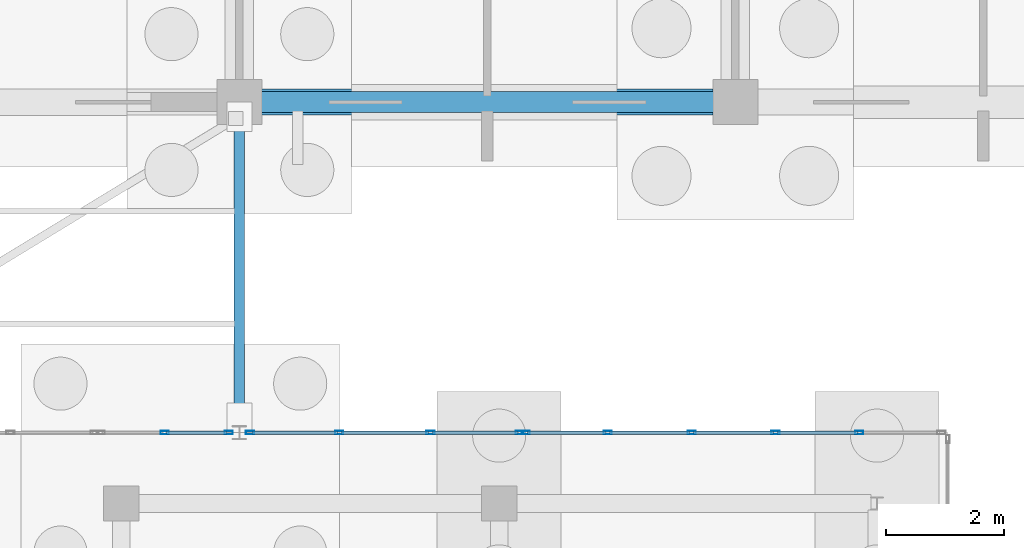
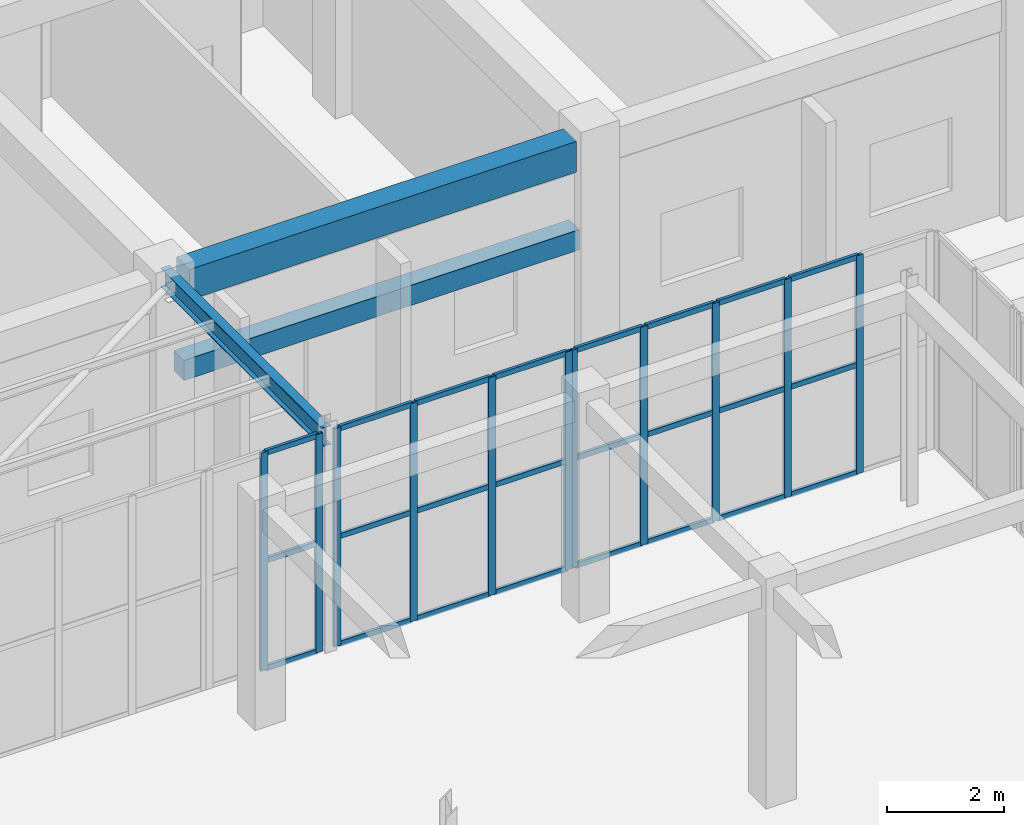
# One storey, part 119 of 192: 35 members, 3 beams, 3 elements without a shape of their own.
"""IFC4 building model written with IfcOpenShell, lengths in metres."""

from ifc_helpers import new_model, si_unit, direction, frame, origin, origin_2d, place, context, subcontext, project, spatial, rectangle, hollow_rectangle, i_section, extrude, material, layer, layer_set, material_profile, profile_set, type_object, element, aggregate, save


model = new_model("IFC4")

# Units and contexts
model_context = context("Model", 3, precision=1e-05, world=origin(), true_north=direction((0.0, 1.0)))
body_context = subcontext(model_context, "Body", "Model", "MODEL_VIEW")
ifc_project = project(units=[si_unit("LENGTHUNIT", "METRE"), si_unit("AREAUNIT", "SQUARE_METRE"), si_unit("VOLUMEUNIT", "CUBIC_METRE"), si_unit("PLANEANGLEUNIT", "RADIAN"), si_unit("MASSUNIT", "GRAM", prefix="KILO")], contexts=[model_context])

# Site, building, storey
site_placement = place(None, origin())
site = spatial("IfcSite", under=ifc_project, at=site_placement, CompositionType="ELEMENT")
building_placement = place(site_placement, origin())
building = spatial("IfcBuilding", under=site, at=building_placement, Name="Trelvath General Hospital", CompositionType="ELEMENT")
storey_placement = place(building_placement, origin())
storey = spatial("IfcBuildingStorey", under=building, at=storey_placement, Name="L00", CompositionType="ELEMENT", Elevation=0.0)

# Beams
ifc_material_1 = material(Name="Concrete C35/45", Category="concrete")
ifc_material_profile_1 = material_profile(ifc_material_1, rectangle(XDim=0.43994140625, YDim=0.639892578125, at=origin_2d()), Name="RCB440x640")
ifc_profile_set_1 = profile_set([ifc_material_profile_1], Name="Concrete C35/45")
beam_type_1 = type_object("IfcBeamType", Name="Beam RC440x640", PredefinedType="BEAM", material=ifc_profile_set_1)
beam_1_placement = place(storey_placement, frame((109.574951171875, 92.39990234375, 4.199951171875), z_axis=(1.0, 0.0, 0.0), x_axis=(0.0, 1.0, 0.0)))
element("IfcBeam", 1, at=beam_1_placement, inside=storey, type_object=beam_type_1, Name="Grid Beam BX-013L", PredefinedType="BEAM", context=body_context, shape_type="SweptSolid", body=[
    extrude(rectangle(XDim=0.43994140625, YDim=0.639892578125, at=origin_2d()), origin(), (0.0, 0.0, 1.0), 7.650146484375),
])
ifc_material_2 = material(Name="Steel S355", Category="steel")
ifc_material_profile_2 = material_profile(ifc_material_2, i_section(OverallWidth=0.179931640625, OverallDepth=0.39990234375, WebThickness=0.008544921875, FlangeThickness=0.013427734375, at=origin_2d()), Name="IPE400")
ifc_profile_set_2 = profile_set([ifc_material_profile_2], Name="Steel S355")
beam_type_2 = type_object("IfcBeamType", Name="BridgeGirder IPE400", PredefinedType="BEAM", material=ifc_profile_set_2)
beam_2_placement = place(storey_placement, frame((109.199951171875, 86.840087890625, 4.409912109375), z_axis=(0.0, 1.0, 0.0), x_axis=(-1.0, 0.0, 0.0)))
element("IfcBeam", 2, at=beam_2_placement, inside=storey, type_object=beam_type_2, Name="Bridge Girder BRG-N-E E L01", PredefinedType="BEAM", context=body_context, shape_type="SweptSolid", body=[
    extrude(i_section(OverallWidth=0.179931640625, OverallDepth=0.39990234375, WebThickness=0.008544921875, FlangeThickness=0.013427734375, at=origin_2d()), origin(), (0.0, 0.0, 1.0), 5.52001953125),
])

# Curtain wall, members
ifc_material_3 = material(Name="Anodised aluminium and low-E glass", Category="aluminium")
ifc_layer_1 = layer(ifc_material_3, 0.139892578125)
ifc_layer_set_1 = layer_set([ifc_layer_1], Name="Anodised aluminium and low-E glass")
curtain_wall_type_1 = type_object("IfcCurtainWallType", Name="CW CrystalCube 223 456 14", PredefinedType="USERDEFINED", material=ifc_layer_set_1)
curtain_wall_1_placement = place(storey_placement, origin())
curtain_wall_1 = element("IfcCurtainWall", 3, at=curtain_wall_1_placement, inside=storey, type_object=curtain_wall_type_1, Name="Crystal Cube Curtain Wall CUBE-E-T0 N3 L00", ObjectType="Unitised Glazed Curtain Wall", PredefinedType="USERDEFINED")
ifc_material_4 = material(Name="Anodised aluminium", Category="aluminium")
ifc_material_profile_3 = material_profile(ifc_material_4, hollow_rectangle(XDim=0.06005859375, YDim=0.139892578125, WallThickness=0.00390625, at=origin_2d()), Name="RHS60x140x4")
ifc_profile_set_3 = profile_set([ifc_material_profile_3], Name="Anodised aluminium")
member_type_1 = type_object("IfcMemberType", Name="CurtainMullion 60x140", PredefinedType="MULLION", material=ifc_profile_set_3)
member_1_placement = place(storey_placement, frame((107.93505859375, 86.800048828125, 0.0), z_axis=(0.0, 0.0, 1.0), x_axis=(0.0, 1.0, 0.0)))
member_1 = element("IfcMember", 4, at=member_1_placement, type_object=member_type_1, Name="CW-113 mullion 2", PredefinedType="MULLION", context=body_context, shape_type="SweptSolid", body=[
    extrude(hollow_rectangle(XDim=0.06005859375, YDim=0.139892578125, WallThickness=0.00390625, at=origin_2d()), origin(), (0.0, 0.0, 1.0), 4.56005859375),
])
member_2_placement = place(storey_placement, frame((109.02001953125, 86.800048828125, 0.0), z_axis=(0.0, 0.0, 1.0), x_axis=(0.0, 1.0, 0.0)))
member_2 = element("IfcMember", 5, at=member_2_placement, type_object=member_type_1, Name="CW-113 mullion 3", PredefinedType="MULLION", context=body_context, shape_type="SweptSolid", body=[
    extrude(hollow_rectangle(XDim=0.06005859375, YDim=0.139892578125, WallThickness=0.00390625, at=origin_2d()), origin(), (0.0, 0.0, 1.0), 4.56005859375),
])

ifc_material_5 = material(Name="Anodised aluminium and low-E glass", Category="aluminium")
ifc_layer_2 = layer(ifc_material_5, 0.139892578125)
ifc_layer_set_2 = layer_set([ifc_layer_2], Name="Anodised aluminium and low-E glass")
curtain_wall_type_2 = type_object("IfcCurtainWallType", Name="CW CrystalCube 463 456 14", PredefinedType="USERDEFINED", material=ifc_layer_set_2)
curtain_wall_2_placement = place(storey_placement, origin())
curtain_wall_2 = element("IfcCurtainWall", 6, at=curtain_wall_2_placement, inside=storey, type_object=curtain_wall_type_2, Name="Crystal Cube Curtain Wall CUBE-E-T0 N4 L00", ObjectType="Unitised Glazed Curtain Wall", PredefinedType="USERDEFINED")
member_3_placement = place(storey_placement, frame((109.3798828125, 86.800048828125, 0.0), z_axis=(0.0, 0.0, 1.0), x_axis=(0.0, 1.0, 0.0)))
member_3 = element("IfcMember", 7, at=member_3_placement, type_object=member_type_1, Name="CW-114 mullion 1", PredefinedType="MULLION", context=body_context, shape_type="SweptSolid", body=[
    extrude(hollow_rectangle(XDim=0.06005859375, YDim=0.139892578125, WallThickness=0.00390625, at=origin_2d()), origin(), (0.0, 0.0, 1.0), 4.56005859375),
])
member_4_placement = place(storey_placement, frame((110.893310546875, 86.800048828125, 0.0), z_axis=(0.0, 0.0, 1.0), x_axis=(0.0, 1.0, 0.0)))
member_4 = element("IfcMember", 8, at=member_4_placement, type_object=member_type_1, Name="CW-114 mullion 2", PredefinedType="MULLION", context=body_context, shape_type="SweptSolid", body=[
    extrude(hollow_rectangle(XDim=0.06005859375, YDim=0.139892578125, WallThickness=0.00390625, at=origin_2d()), origin(), (0.0, 0.0, 1.0), 4.56005859375),
])
member_5_placement = place(storey_placement, frame((112.436767578125, 86.800048828125, 0.0), z_axis=(0.0, 0.0, 1.0), x_axis=(0.0, 1.0, 0.0)))
member_5 = element("IfcMember", 9, at=member_5_placement, type_object=member_type_1, Name="CW-114 mullion 3", PredefinedType="MULLION", context=body_context, shape_type="SweptSolid", body=[
    extrude(hollow_rectangle(XDim=0.06005859375, YDim=0.139892578125, WallThickness=0.00390625, at=origin_2d()), origin(), (0.0, 0.0, 1.0), 4.56005859375),
])
member_6_placement = place(storey_placement, frame((113.949951171875, 86.800048828125, 0.0), z_axis=(0.0, 0.0, 1.0), x_axis=(0.0, 1.0, 0.0)))
member_6 = element("IfcMember", 10, at=member_6_placement, type_object=member_type_1, Name="CW-114 mullion 4", PredefinedType="MULLION", context=body_context, shape_type="SweptSolid", body=[
    extrude(hollow_rectangle(XDim=0.06005859375, YDim=0.139892578125, WallThickness=0.00390625, at=origin_2d()), origin(), (0.0, 0.0, 1.0), 4.56005859375),
])

ifc_material_6 = material(Name="Anodised aluminium and low-E glass", Category="aluminium")
ifc_layer_3 = layer(ifc_material_6, 0.139892578125)
ifc_layer_set_3 = layer_set([ifc_layer_3], Name="Anodised aluminium and low-E glass")
curtain_wall_type_3 = type_object("IfcCurtainWallType", Name="CW CrystalCube 710 456 14", PredefinedType="USERDEFINED", material=ifc_layer_set_3)
curtain_wall_3_placement = place(storey_placement, origin())
curtain_wall_3 = element("IfcCurtainWall", 11, at=curtain_wall_3_placement, inside=storey, type_object=curtain_wall_type_3, Name="Crystal Cube Curtain Wall CUBE-E-T0 N5 L00", ObjectType="Unitised Glazed Curtain Wall", PredefinedType="USERDEFINED")
member_7_placement = place(storey_placement, frame((114.050048828125, 86.800048828125, 0.0), z_axis=(0.0, 0.0, 1.0), x_axis=(0.0, 1.0, 0.0)))
member_7 = element("IfcMember", 12, at=member_7_placement, type_object=member_type_1, Name="CW-115 mullion 1", PredefinedType="MULLION", context=body_context, shape_type="SweptSolid", body=[
    extrude(hollow_rectangle(XDim=0.06005859375, YDim=0.139892578125, WallThickness=0.00390625, at=origin_2d()), origin(), (0.0, 0.0, 1.0), 4.56005859375),
])
member_8_placement = place(storey_placement, frame((115.43994140625, 86.800048828125, 0.0), z_axis=(0.0, 0.0, 1.0), x_axis=(0.0, 1.0, 0.0)))
member_8 = element("IfcMember", 13, at=member_8_placement, type_object=member_type_1, Name="CW-115 mullion 2", PredefinedType="MULLION", context=body_context, shape_type="SweptSolid", body=[
    extrude(hollow_rectangle(XDim=0.06005859375, YDim=0.139892578125, WallThickness=0.00390625, at=origin_2d()), origin(), (0.0, 0.0, 1.0), 4.56005859375),
])
member_9_placement = place(storey_placement, frame((116.860107421875, 86.800048828125, 0.0), z_axis=(0.0, 0.0, 1.0), x_axis=(0.0, 1.0, 0.0)))
member_9 = element("IfcMember", 14, at=member_9_placement, type_object=member_type_1, Name="CW-115 mullion 3", PredefinedType="MULLION", context=body_context, shape_type="SweptSolid", body=[
    extrude(hollow_rectangle(XDim=0.06005859375, YDim=0.139892578125, WallThickness=0.00390625, at=origin_2d()), origin(), (0.0, 0.0, 1.0), 4.56005859375),
])
member_10_placement = place(storey_placement, frame((118.280029296875, 86.800048828125, 0.0), z_axis=(0.0, 0.0, 1.0), x_axis=(0.0, 1.0, 0.0)))
member_10 = element("IfcMember", 15, at=member_10_placement, type_object=member_type_1, Name="CW-115 mullion 4", PredefinedType="MULLION", context=body_context, shape_type="SweptSolid", body=[
    extrude(hollow_rectangle(XDim=0.06005859375, YDim=0.139892578125, WallThickness=0.00390625, at=origin_2d()), origin(), (0.0, 0.0, 1.0), 4.56005859375),
])
member_11_placement = place(storey_placement, frame((119.699951171875, 86.800048828125, 0.0), z_axis=(0.0, 0.0, 1.0), x_axis=(0.0, 1.0, 0.0)))
member_11 = element("IfcMember", 16, at=member_11_placement, type_object=member_type_1, Name="CW-115 mullion 5", PredefinedType="MULLION", context=body_context, shape_type="SweptSolid", body=[
    extrude(hollow_rectangle(XDim=0.06005859375, YDim=0.139892578125, WallThickness=0.00390625, at=origin_2d()), origin(), (0.0, 0.0, 1.0), 4.56005859375),
])

# Member
ifc_material_7 = material(Name="Anodised aluminium", Category="aluminium")
ifc_material_profile_4 = material_profile(ifc_material_7, hollow_rectangle(XDim=0.06005859375, YDim=0.110107421875, WallThickness=0.00390625, at=origin_2d()), Name="RHS60x110x4")
ifc_profile_set_4 = profile_set([ifc_material_profile_4], Name="Anodised aluminium")
member_type_2 = type_object("IfcMemberType", Name="CurtainTransom 60x110", PredefinedType="USERDEFINED", material=ifc_profile_set_4)
member_12_placement = place(storey_placement, frame((107.965087890625, 86.800048828125, 0.030029296875), z_axis=(1.0, 0.0, 0.0), x_axis=(0.0, 1.0, 0.0)))
member_12 = element("IfcMember", 17, at=member_12_placement, type_object=member_type_2, Name="CW-113 transom 2.1", ObjectType="TRANSOM", PredefinedType="USERDEFINED", context=body_context, shape_type="SweptSolid", body=[
    extrude(hollow_rectangle(XDim=0.06005859375, YDim=0.110107421875, WallThickness=0.00390625, at=origin_2d()), origin(), (0.0, 0.0, 1.0), 1.02490234375),
])

member_13_placement = place(storey_placement, frame((107.965087890625, 86.800048828125, 2.280029296875), z_axis=(1.0, 0.0, 0.0), x_axis=(0.0, 1.0, 0.0)))
member_13 = element("IfcMember", 18, at=member_13_placement, type_object=member_type_2, Name="CW-113 transom 2.2", ObjectType="TRANSOM", PredefinedType="USERDEFINED", context=body_context, shape_type="SweptSolid", body=[
    extrude(hollow_rectangle(XDim=0.06005859375, YDim=0.110107421875, WallThickness=0.00390625, at=origin_2d()), origin(), (0.0, 0.0, 1.0), 1.02490234375),
])

member_14_placement = place(storey_placement, frame((107.965087890625, 86.800048828125, 4.530029296875), z_axis=(1.0, 0.0, 0.0), x_axis=(0.0, 1.0, 0.0)))
member_14 = element("IfcMember", 19, at=member_14_placement, type_object=member_type_2, Name="CW-113 transom 2.3", ObjectType="TRANSOM", PredefinedType="USERDEFINED", context=body_context, shape_type="SweptSolid", body=[
    extrude(hollow_rectangle(XDim=0.06005859375, YDim=0.110107421875, WallThickness=0.00390625, at=origin_2d()), origin(), (0.0, 0.0, 1.0), 1.02490234375),
])

aggregate(curtain_wall_1, [member_1, member_2, member_12, member_13, member_14])

member_15_placement = place(storey_placement, frame((109.409912109375, 86.800048828125, 0.030029296875), z_axis=(1.0, 0.0, 0.0), x_axis=(0.0, 1.0, 0.0)))
member_15 = element("IfcMember", 20, at=member_15_placement, type_object=member_type_2, Name="CW-114 transom 1.1", ObjectType="TRANSOM", PredefinedType="USERDEFINED", context=body_context, shape_type="SweptSolid", body=[
    extrude(hollow_rectangle(XDim=0.06005859375, YDim=0.110107421875, WallThickness=0.00390625, at=origin_2d()), origin(), (0.0, 0.0, 1.0), 1.453369140625),
])

member_16_placement = place(storey_placement, frame((109.409912109375, 86.800048828125, 2.280029296875), z_axis=(1.0, 0.0, 0.0), x_axis=(0.0, 1.0, 0.0)))
member_16 = element("IfcMember", 21, at=member_16_placement, type_object=member_type_2, Name="CW-114 transom 1.2", ObjectType="TRANSOM", PredefinedType="USERDEFINED", context=body_context, shape_type="SweptSolid", body=[
    extrude(hollow_rectangle(XDim=0.06005859375, YDim=0.110107421875, WallThickness=0.00390625, at=origin_2d()), origin(), (0.0, 0.0, 1.0), 1.453369140625),
])

member_17_placement = place(storey_placement, frame((109.409912109375, 86.800048828125, 4.530029296875), z_axis=(1.0, 0.0, 0.0), x_axis=(0.0, 1.0, 0.0)))
member_17 = element("IfcMember", 22, at=member_17_placement, type_object=member_type_2, Name="CW-114 transom 1.3", ObjectType="TRANSOM", PredefinedType="USERDEFINED", context=body_context, shape_type="SweptSolid", body=[
    extrude(hollow_rectangle(XDim=0.06005859375, YDim=0.110107421875, WallThickness=0.00390625, at=origin_2d()), origin(), (0.0, 0.0, 1.0), 1.453369140625),
])

member_18_placement = place(storey_placement, frame((110.92333984375, 86.800048828125, 0.030029296875), z_axis=(1.0, 0.0, 0.0), x_axis=(0.0, 1.0, 0.0)))
member_18 = element("IfcMember", 23, at=member_18_placement, type_object=member_type_2, Name="CW-114 transom 2.1", ObjectType="TRANSOM", PredefinedType="USERDEFINED", context=body_context, shape_type="SweptSolid", body=[
    extrude(hollow_rectangle(XDim=0.06005859375, YDim=0.110107421875, WallThickness=0.00390625, at=origin_2d()), origin(), (0.0, 0.0, 1.0), 1.4833984375),
])

member_19_placement = place(storey_placement, frame((110.92333984375, 86.800048828125, 2.280029296875), z_axis=(1.0, 0.0, 0.0), x_axis=(0.0, 1.0, 0.0)))
member_19 = element("IfcMember", 24, at=member_19_placement, type_object=member_type_2, Name="CW-114 transom 2.2", ObjectType="TRANSOM", PredefinedType="USERDEFINED", context=body_context, shape_type="SweptSolid", body=[
    extrude(hollow_rectangle(XDim=0.06005859375, YDim=0.110107421875, WallThickness=0.00390625, at=origin_2d()), origin(), (0.0, 0.0, 1.0), 1.4833984375),
])

member_20_placement = place(storey_placement, frame((110.92333984375, 86.800048828125, 4.530029296875), z_axis=(1.0, 0.0, 0.0), x_axis=(0.0, 1.0, 0.0)))
member_20 = element("IfcMember", 25, at=member_20_placement, type_object=member_type_2, Name="CW-114 transom 2.3", ObjectType="TRANSOM", PredefinedType="USERDEFINED", context=body_context, shape_type="SweptSolid", body=[
    extrude(hollow_rectangle(XDim=0.06005859375, YDim=0.110107421875, WallThickness=0.00390625, at=origin_2d()), origin(), (0.0, 0.0, 1.0), 1.4833984375),
])

member_21_placement = place(storey_placement, frame((112.466552734375, 86.800048828125, 0.030029296875), z_axis=(1.0, 0.0, 0.0), x_axis=(0.0, 1.0, 0.0)))
member_21 = element("IfcMember", 26, at=member_21_placement, type_object=member_type_2, Name="CW-114 transom 3.1", ObjectType="TRANSOM", PredefinedType="USERDEFINED", context=body_context, shape_type="SweptSolid", body=[
    extrude(hollow_rectangle(XDim=0.06005859375, YDim=0.110107421875, WallThickness=0.00390625, at=origin_2d()), origin(), (0.0, 0.0, 1.0), 1.453369140625),
])

member_22_placement = place(storey_placement, frame((112.466552734375, 86.800048828125, 2.280029296875), z_axis=(1.0, 0.0, 0.0), x_axis=(0.0, 1.0, 0.0)))
member_22 = element("IfcMember", 27, at=member_22_placement, type_object=member_type_2, Name="CW-114 transom 3.2", ObjectType="TRANSOM", PredefinedType="USERDEFINED", context=body_context, shape_type="SweptSolid", body=[
    extrude(hollow_rectangle(XDim=0.06005859375, YDim=0.110107421875, WallThickness=0.00390625, at=origin_2d()), origin(), (0.0, 0.0, 1.0), 1.453369140625),
])

member_23_placement = place(storey_placement, frame((112.466552734375, 86.800048828125, 4.530029296875), z_axis=(1.0, 0.0, 0.0), x_axis=(0.0, 1.0, 0.0)))
member_23 = element("IfcMember", 28, at=member_23_placement, type_object=member_type_2, Name="CW-114 transom 3.3", ObjectType="TRANSOM", PredefinedType="USERDEFINED", context=body_context, shape_type="SweptSolid", body=[
    extrude(hollow_rectangle(XDim=0.06005859375, YDim=0.110107421875, WallThickness=0.00390625, at=origin_2d()), origin(), (0.0, 0.0, 1.0), 1.453369140625),
])

aggregate(curtain_wall_2, [member_3, member_4, member_5, member_6, member_15, member_16, member_17, member_18, member_19, member_20, member_21, member_22, member_23])

member_24_placement = place(storey_placement, frame((114.080078125, 86.800048828125, 0.030029296875), z_axis=(1.0, 0.0, 0.0), x_axis=(0.0, 1.0, 0.0)))
member_24 = element("IfcMember", 29, at=member_24_placement, type_object=member_type_2, Name="CW-115 transom 1.1", ObjectType="TRANSOM", PredefinedType="USERDEFINED", context=body_context, shape_type="SweptSolid", body=[
    extrude(hollow_rectangle(XDim=0.06005859375, YDim=0.110107421875, WallThickness=0.00390625, at=origin_2d()), origin(), (0.0, 0.0, 1.0), 1.329833984375),
])

member_25_placement = place(storey_placement, frame((114.080078125, 86.800048828125, 2.280029296875), z_axis=(1.0, 0.0, 0.0), x_axis=(0.0, 1.0, 0.0)))
member_25 = element("IfcMember", 30, at=member_25_placement, type_object=member_type_2, Name="CW-115 transom 1.2", ObjectType="TRANSOM", PredefinedType="USERDEFINED", context=body_context, shape_type="SweptSolid", body=[
    extrude(hollow_rectangle(XDim=0.06005859375, YDim=0.110107421875, WallThickness=0.00390625, at=origin_2d()), origin(), (0.0, 0.0, 1.0), 1.329833984375),
])

member_26_placement = place(storey_placement, frame((114.080078125, 86.800048828125, 4.530029296875), z_axis=(1.0, 0.0, 0.0), x_axis=(0.0, 1.0, 0.0)))
member_26 = element("IfcMember", 31, at=member_26_placement, type_object=member_type_2, Name="CW-115 transom 1.3", ObjectType="TRANSOM", PredefinedType="USERDEFINED", context=body_context, shape_type="SweptSolid", body=[
    extrude(hollow_rectangle(XDim=0.06005859375, YDim=0.110107421875, WallThickness=0.00390625, at=origin_2d()), origin(), (0.0, 0.0, 1.0), 1.329833984375),
])

member_27_placement = place(storey_placement, frame((115.469970703125, 86.800048828125, 0.030029296875), z_axis=(1.0, 0.0, 0.0), x_axis=(0.0, 1.0, 0.0)))
member_27 = element("IfcMember", 32, at=member_27_placement, type_object=member_type_2, Name="CW-115 transom 2.1", ObjectType="TRANSOM", PredefinedType="USERDEFINED", context=body_context, shape_type="SweptSolid", body=[
    extrude(hollow_rectangle(XDim=0.06005859375, YDim=0.110107421875, WallThickness=0.00390625, at=origin_2d()), origin(), (0.0, 0.0, 1.0), 1.360107421875),
])

member_28_placement = place(storey_placement, frame((115.469970703125, 86.800048828125, 2.280029296875), z_axis=(1.0, 0.0, 0.0), x_axis=(0.0, 1.0, 0.0)))
member_28 = element("IfcMember", 33, at=member_28_placement, type_object=member_type_2, Name="CW-115 transom 2.2", ObjectType="TRANSOM", PredefinedType="USERDEFINED", context=body_context, shape_type="SweptSolid", body=[
    extrude(hollow_rectangle(XDim=0.06005859375, YDim=0.110107421875, WallThickness=0.00390625, at=origin_2d()), origin(), (0.0, 0.0, 1.0), 1.360107421875),
])

member_29_placement = place(storey_placement, frame((115.469970703125, 86.800048828125, 4.530029296875), z_axis=(1.0, 0.0, 0.0), x_axis=(0.0, 1.0, 0.0)))
member_29 = element("IfcMember", 34, at=member_29_placement, type_object=member_type_2, Name="CW-115 transom 2.3", ObjectType="TRANSOM", PredefinedType="USERDEFINED", context=body_context, shape_type="SweptSolid", body=[
    extrude(hollow_rectangle(XDim=0.06005859375, YDim=0.110107421875, WallThickness=0.00390625, at=origin_2d()), origin(), (0.0, 0.0, 1.0), 1.360107421875),
])

member_30_placement = place(storey_placement, frame((116.889892578125, 86.800048828125, 0.030029296875), z_axis=(1.0, 0.0, 0.0), x_axis=(0.0, 1.0, 0.0)))
member_30 = element("IfcMember", 35, at=member_30_placement, type_object=member_type_2, Name="CW-115 transom 3.1", ObjectType="TRANSOM", PredefinedType="USERDEFINED", context=body_context, shape_type="SweptSolid", body=[
    extrude(hollow_rectangle(XDim=0.06005859375, YDim=0.110107421875, WallThickness=0.00390625, at=origin_2d()), origin(), (0.0, 0.0, 1.0), 1.360107421875),
])

member_31_placement = place(storey_placement, frame((116.889892578125, 86.800048828125, 2.280029296875), z_axis=(1.0, 0.0, 0.0), x_axis=(0.0, 1.0, 0.0)))
member_31 = element("IfcMember", 36, at=member_31_placement, type_object=member_type_2, Name="CW-115 transom 3.2", ObjectType="TRANSOM", PredefinedType="USERDEFINED", context=body_context, shape_type="SweptSolid", body=[
    extrude(hollow_rectangle(XDim=0.06005859375, YDim=0.110107421875, WallThickness=0.00390625, at=origin_2d()), origin(), (0.0, 0.0, 1.0), 1.360107421875),
])

member_32_placement = place(storey_placement, frame((116.889892578125, 86.800048828125, 4.530029296875), z_axis=(1.0, 0.0, 0.0), x_axis=(0.0, 1.0, 0.0)))
member_32 = element("IfcMember", 37, at=member_32_placement, type_object=member_type_2, Name="CW-115 transom 3.3", ObjectType="TRANSOM", PredefinedType="USERDEFINED", context=body_context, shape_type="SweptSolid", body=[
    extrude(hollow_rectangle(XDim=0.06005859375, YDim=0.110107421875, WallThickness=0.00390625, at=origin_2d()), origin(), (0.0, 0.0, 1.0), 1.360107421875),
])

member_33_placement = place(storey_placement, frame((118.31005859375, 86.800048828125, 0.030029296875), z_axis=(1.0, 0.0, 0.0), x_axis=(0.0, 1.0, 0.0)))
member_33 = element("IfcMember", 38, at=member_33_placement, type_object=member_type_2, Name="CW-115 transom 4.1", ObjectType="TRANSOM", PredefinedType="USERDEFINED", context=body_context, shape_type="SweptSolid", body=[
    extrude(hollow_rectangle(XDim=0.06005859375, YDim=0.110107421875, WallThickness=0.00390625, at=origin_2d()), origin(), (0.0, 0.0, 1.0), 1.35986328125),
])

member_34_placement = place(storey_placement, frame((118.31005859375, 86.800048828125, 2.280029296875), z_axis=(1.0, 0.0, 0.0), x_axis=(0.0, 1.0, 0.0)))
member_34 = element("IfcMember", 39, at=member_34_placement, type_object=member_type_2, Name="CW-115 transom 4.2", ObjectType="TRANSOM", PredefinedType="USERDEFINED", context=body_context, shape_type="SweptSolid", body=[
    extrude(hollow_rectangle(XDim=0.06005859375, YDim=0.110107421875, WallThickness=0.00390625, at=origin_2d()), origin(), (0.0, 0.0, 1.0), 1.35986328125),
])

member_35_placement = place(storey_placement, frame((118.31005859375, 86.800048828125, 4.530029296875), z_axis=(1.0, 0.0, 0.0), x_axis=(0.0, 1.0, 0.0)))
member_35 = element("IfcMember", 40, at=member_35_placement, type_object=member_type_2, Name="CW-115 transom 4.3", ObjectType="TRANSOM", PredefinedType="USERDEFINED", context=body_context, shape_type="SweptSolid", body=[
    extrude(hollow_rectangle(XDim=0.06005859375, YDim=0.110107421875, WallThickness=0.00390625, at=origin_2d()), origin(), (0.0, 0.0, 1.0), 1.35986328125),
])

aggregate(curtain_wall_3, [member_7, member_8, member_9, member_10, member_11, member_24, member_25, member_26, member_27, member_28, member_29, member_30, member_31, member_32, member_33, member_34, member_35])

# Beam
ifc_material_8 = material(Name="Precast concrete C40/50", Category="concrete")
ifc_material_profile_5 = material_profile(ifc_material_8, rectangle(XDim=0.35009765625, YDim=0.419921875, at=origin_2d()), Name="PCL350x420")
ifc_profile_set_5 = profile_set([ifc_material_profile_5], Name="Precast concrete C40/50")
beam_type_3 = type_object("IfcBeamType", Name="Lintel PC350x420", PredefinedType="LINTEL", material=ifc_profile_set_5)
beam_3_placement = place(storey_placement, frame((117.304931640625, 92.39990234375, 2.409912109375), z_axis=(-1.0, 0.0, 0.0), x_axis=(0.0, -1.0, 0.0)))
element("IfcBeam", 41, at=beam_3_placement, inside=storey, type_object=beam_type_3, Name="Precast Window Brow Lintel L00-74", PredefinedType="LINTEL", context=body_context, shape_type="SweptSolid", body=[
    extrude(rectangle(XDim=0.35009765625, YDim=0.419921875, at=origin_2d()), origin(), (0.0, 0.0, 1.0), 7.809814453125),
])

save(model, "model.ifc")
